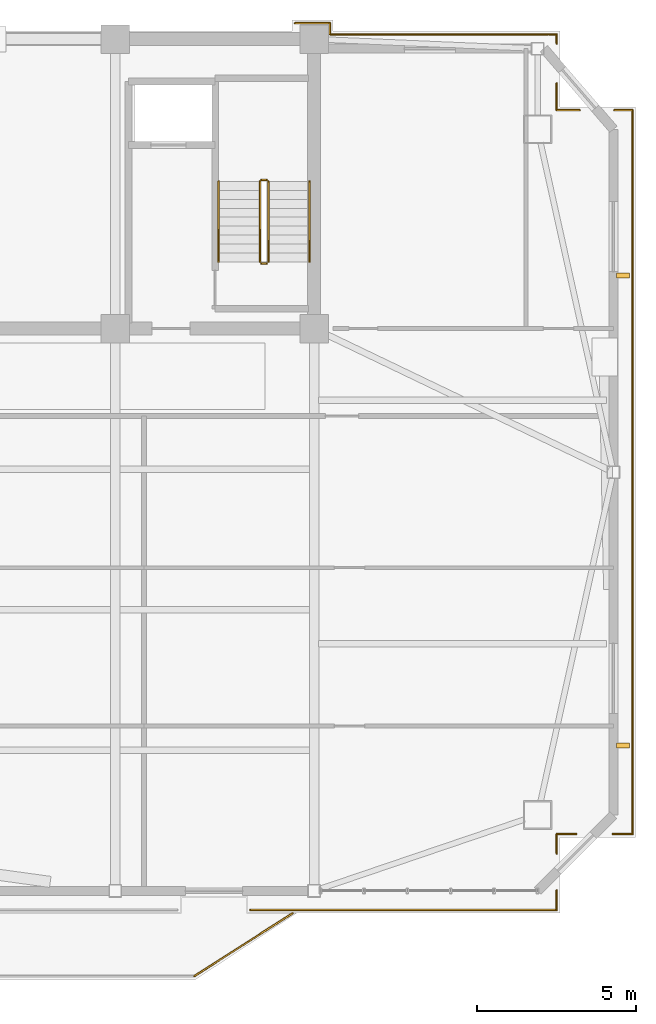
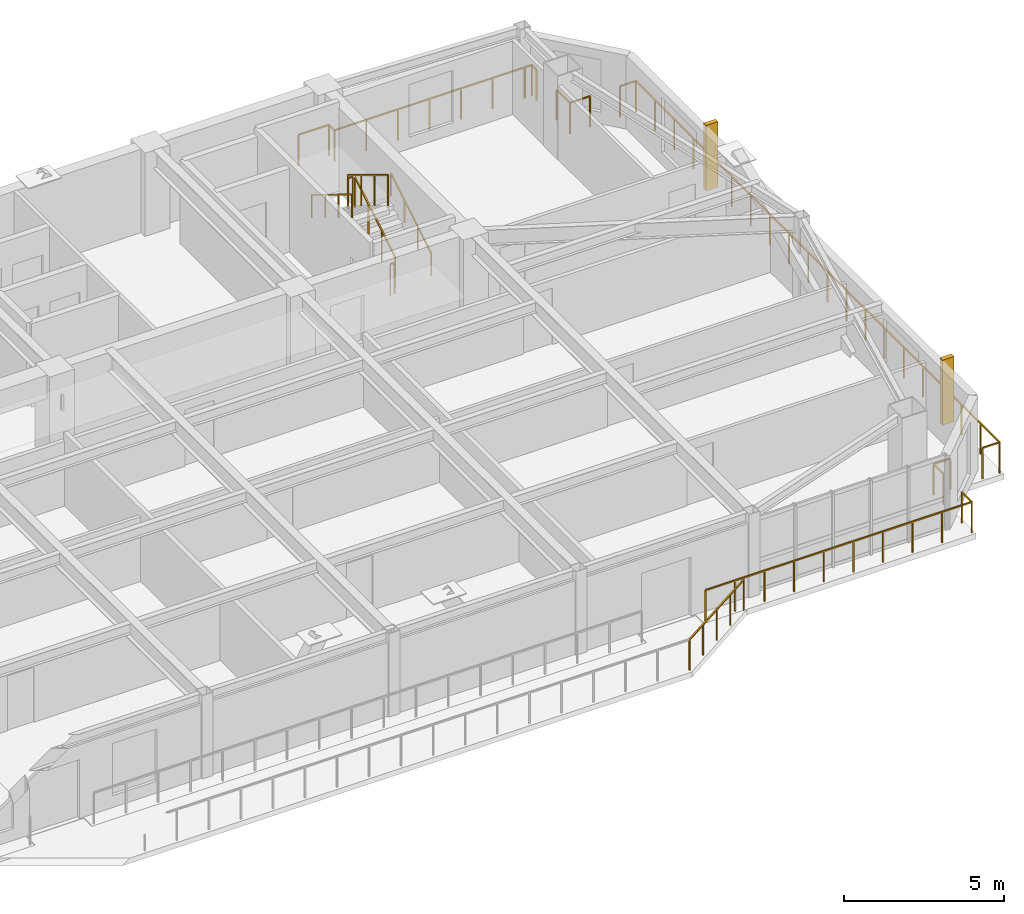
# One storey, part 13 of 13: 21 railings, 2 shading devices.
"""IFC4 building model written with IfcOpenShell, lengths in metres."""

from ifc_helpers import new_model, si_unit, direction, frame, origin, origin_2d, place, context, subcontext, project, spatial, rectangle, extrude, source, transform, mapped, material, type_object, element, save


model = new_model("IFC4")

# Units and contexts
model_context = context("Model", 3, precision=1e-05, world=origin(), true_north=direction((0.0, 1.0)))
body_context = subcontext(model_context, "Body", "Model", "MODEL_VIEW")
ifc_project = project(units=[si_unit("LENGTHUNIT", "METRE"), si_unit("AREAUNIT", "SQUARE_METRE"), si_unit("VOLUMEUNIT", "CUBIC_METRE"), si_unit("PLANEANGLEUNIT", "RADIAN"), si_unit("MASSUNIT", "GRAM", prefix="KILO")], contexts=[model_context])

# Site, building, storey
site_placement = place(None, origin())
site = spatial("IfcSite", under=ifc_project, at=site_placement, CompositionType="ELEMENT")
building_placement = place(site_placement, origin())
building = spatial("IfcBuilding", under=site, at=building_placement, Name="Giltprow Tower", CompositionType="ELEMENT")
storey_placement = place(building_placement, frame((0.0, 0.0, 307.39990234375)))
storey = spatial("IfcBuildingStorey", under=building, at=storey_placement, Name="L79", CompositionType="ELEMENT", Elevation=307.39990234375)

# Railings
ifc_material = material(Name="Anodized bronze", Category="metal")
railing_type_1 = type_object("IfcRailingType", Name="RAIL-BALC-GUARD-1200", PredefinedType="BALUSTRADE", material=ifc_material)
railing_1_placement = place(storey_placement, frame((46.780029296875, 17.092041015625, 0.0)))
element("IfcRailing", 1, at=railing_1_placement, inside=storey, type_object=railing_type_1, Name="L79 Waterfront Balcony Balustrade Seg 3", PredefinedType="BALUSTRADE", context=body_context, shape_type="SweptSolid", body=[
    extrude(rectangle(XDim=0.048095703125, YDim=0.048095703125, at=origin_2d()), frame((0.0, 0.0, 1.17578125), z_axis=(0.842755646126, 0.538296313309, 0.0), x_axis=(-0.538296313309, 0.842755646126, 0.0)), (0.0, 0.0, 1.0), 3.67822265625),
    extrude(rectangle(XDim=0.0419921875, YDim=0.0419921875, at=origin_2d()), origin(), (0.0, 0.0, 1.0), 1.15185546875),
    extrude(rectangle(XDim=0.0419921875, YDim=0.0419921875, at=origin_2d()), frame((0.77490234375, 0.4951171875, 0.0)), (0.0, 0.0, 1.0), 1.15185546875),
    extrude(rectangle(XDim=0.0419921875, YDim=0.0419921875, at=origin_2d()), frame((1.5498046875, 0.989990234375, 0.0)), (0.0, 0.0, 1.0), 1.15185546875),
    extrude(rectangle(XDim=0.0419921875, YDim=0.0419921875, at=origin_2d()), frame((2.324951171875, 1.48486328125, 0.0)), (0.0, 0.0, 1.0), 1.15185546875),
    extrude(rectangle(XDim=0.0419921875, YDim=0.0419921875, at=origin_2d()), frame((3.099853515625, 1.97998046875, 0.0)), (0.0, 0.0, 1.0), 1.15185546875),
])
railing_2_placement = place(storey_placement, frame((60.56005859375, 44.31494140625, 0.0)))
element("IfcRailing", 2, at=railing_2_placement, inside=storey, type_object=railing_type_1, Name="L79 Corner Apron Edge Balustrade 1", PredefinedType="BALUSTRADE", context=body_context, shape_type="SweptSolid", body=[
    extrude(rectangle(XDim=0.048095703125, YDim=0.048095703125, at=origin_2d()), frame((0.0, 0.0, 1.17578125), z_axis=(0.0, -1.0, 0.0), x_axis=(1.0, 0.0, 0.0)), (0.0, 0.0, 1.0), 22.758056640625),
    extrude(rectangle(XDim=0.0419921875, YDim=0.0419921875, at=origin_2d()), origin(), (0.0, 0.0, 1.0), 1.15185546875),
    extrude(rectangle(XDim=0.0419921875, YDim=0.0419921875, at=origin_2d()), frame((0.0, -1.19775390625, 0.0)), (0.0, 0.0, 1.0), 1.15185546875),
    extrude(rectangle(XDim=0.0419921875, YDim=0.0419921875, at=origin_2d()), frame((0.0, -2.3955078125, 0.0)), (0.0, 0.0, 1.0), 1.15185546875),
    extrude(rectangle(XDim=0.0419921875, YDim=0.0419921875, at=origin_2d()), frame((0.0, -3.59326171875, 0.0)), (0.0, 0.0, 1.0), 1.15185546875),
    extrude(rectangle(XDim=0.0419921875, YDim=0.0419921875, at=origin_2d()), frame((0.0, -4.791259765625, 0.0)), (0.0, 0.0, 1.0), 1.15185546875),
    extrude(rectangle(XDim=0.0419921875, YDim=0.0419921875, at=origin_2d()), frame((0.0, -5.989013671875, 0.0)), (0.0, 0.0, 1.0), 1.15185546875),
    extrude(rectangle(XDim=0.0419921875, YDim=0.0419921875, at=origin_2d()), frame((0.0, -7.186767578125, 0.0)), (0.0, 0.0, 1.0), 1.15185546875),
    extrude(rectangle(XDim=0.0419921875, YDim=0.0419921875, at=origin_2d()), frame((0.0, -8.384521484375, 0.0)), (0.0, 0.0, 1.0), 1.15185546875),
    extrude(rectangle(XDim=0.0419921875, YDim=0.0419921875, at=origin_2d()), frame((0.0, -9.582275390625, 0.0)), (0.0, 0.0, 1.0), 1.15185546875),
    extrude(rectangle(XDim=0.0419921875, YDim=0.0419921875, at=origin_2d()), frame((0.0, -10.780029296875, 0.0)), (0.0, 0.0, 1.0), 1.15185546875),
    extrude(rectangle(XDim=0.0419921875, YDim=0.0419921875, at=origin_2d()), frame((0.0, -11.97802734375, 0.0)), (0.0, 0.0, 1.0), 1.15185546875),
    extrude(rectangle(XDim=0.0419921875, YDim=0.0419921875, at=origin_2d()), frame((0.0, -13.17578125, 0.0)), (0.0, 0.0, 1.0), 1.15185546875),
    extrude(rectangle(XDim=0.0419921875, YDim=0.0419921875, at=origin_2d()), frame((0.0, -14.37353515625, 0.0)), (0.0, 0.0, 1.0), 1.15185546875),
    extrude(rectangle(XDim=0.0419921875, YDim=0.0419921875, at=origin_2d()), frame((0.0, -15.5712890625, 0.0)), (0.0, 0.0, 1.0), 1.15185546875),
    extrude(rectangle(XDim=0.0419921875, YDim=0.0419921875, at=origin_2d()), frame((0.0, -16.76904296875, 0.0)), (0.0, 0.0, 1.0), 1.15185546875),
    extrude(rectangle(XDim=0.0419921875, YDim=0.0419921875, at=origin_2d()), frame((0.0, -17.966796875, 0.0)), (0.0, 0.0, 1.0), 1.15185546875),
    extrude(rectangle(XDim=0.0419921875, YDim=0.0419921875, at=origin_2d()), frame((0.0, -19.164794921875, 0.0)), (0.0, 0.0, 1.0), 1.15185546875),
    extrude(rectangle(XDim=0.0419921875, YDim=0.0419921875, at=origin_2d()), frame((0.0, -20.362548828125, 0.0)), (0.0, 0.0, 1.0), 1.15185546875),
    extrude(rectangle(XDim=0.0419921875, YDim=0.0419921875, at=origin_2d()), frame((0.0, -21.560302734375, 0.0)), (0.0, 0.0, 1.0), 1.15185546875),
    extrude(rectangle(XDim=0.0419921875, YDim=0.0419921875, at=origin_2d()), frame((0.0, -22.758056640625, 0.0)), (0.0, 0.0, 1.0), 1.15185546875),
])
railing_3_placement = place(storey_placement, frame((60.56005859375, 21.556884765625, 0.0)))
element("IfcRailing", 3, at=railing_3_placement, inside=storey, type_object=railing_type_1, Name="L79 Corner Apron Edge Balustrade 2", PredefinedType="BALUSTRADE", context=body_context, shape_type="SweptSolid", body=[
    extrude(rectangle(XDim=0.048095703125, YDim=0.048095703125, at=origin_2d()), frame((0.0, 0.0, 1.17578125), z_axis=(-1.0, 0.0, 0.0), x_axis=(0.0, -1.0, 0.0)), (0.0, 0.0, 1.0), 0.6201171875),
    extrude(rectangle(XDim=0.0419921875, YDim=0.0419921875, at=origin_2d()), origin(), (0.0, 0.0, 1.0), 1.15185546875),
    extrude(rectangle(XDim=0.0419921875, YDim=0.0419921875, at=origin_2d()), frame((-0.6201171875, 0.0, 0.0)), (0.0, 0.0, 1.0), 1.15185546875),
])
railing_4_placement = place(storey_placement, frame((58.780029296875, 21.556884765625, 0.0)))
element("IfcRailing", 4, at=railing_4_placement, inside=storey, type_object=railing_type_1, Name="L79 Corner Apron Edge Balustrade 3", PredefinedType="BALUSTRADE", context=body_context, shape_type="SweptSolid", body=[
    extrude(rectangle(XDim=0.048095703125, YDim=0.048095703125, at=origin_2d()), frame((0.0, 0.0, 1.17578125), z_axis=(-1.0, 0.0, 0.0), x_axis=(0.0, -1.0, 0.0)), (0.0, 0.0, 1.0), 0.60400390625),
    extrude(rectangle(XDim=0.0419921875, YDim=0.0419921875, at=origin_2d()), origin(), (0.0, 0.0, 1.0), 1.15185546875),
    extrude(rectangle(XDim=0.0419921875, YDim=0.0419921875, at=origin_2d()), frame((-0.60400390625, 0.0, 0.0)), (0.0, 0.0, 1.0), 1.15185546875),
])
railing_5_placement = place(storey_placement, frame((58.176025390625, 21.556884765625, 0.0)))
element("IfcRailing", 5, at=railing_5_placement, inside=storey, type_object=railing_type_1, Name="L79 Corner Apron Edge Balustrade 4", PredefinedType="BALUSTRADE", context=body_context, shape_type="SweptSolid", body=[
    extrude(rectangle(XDim=0.048095703125, YDim=0.048095703125, at=origin_2d()), frame((0.0, 0.0, 1.17578125), z_axis=(0.0, -1.0, 0.0), x_axis=(1.0, 0.0, 0.0)), (0.0, 0.0, 1.0), 0.60400390625),
    extrude(rectangle(XDim=0.0419921875, YDim=0.0419921875, at=origin_2d()), origin(), (0.0, 0.0, 1.0), 1.15185546875),
    extrude(rectangle(XDim=0.0419921875, YDim=0.0419921875, at=origin_2d()), frame((0.0, -0.60400390625, 0.0)), (0.0, 0.0, 1.0), 1.15185546875),
])
railing_6_placement = place(storey_placement, frame((58.176025390625, 19.79296875, 0.0)))
element("IfcRailing", 6, at=railing_6_placement, inside=storey, type_object=railing_type_1, Name="L79 Corner Apron Edge Balustrade 5", PredefinedType="BALUSTRADE", context=body_context, shape_type="SweptSolid", body=[
    extrude(rectangle(XDim=0.048095703125, YDim=0.048095703125, at=origin_2d()), frame((0.0, 0.0, 1.17578125), z_axis=(0.0, -1.0, 0.0), x_axis=(1.0, 0.0, 0.0)), (0.0, 0.0, 1.0), 0.620849609375),
    extrude(rectangle(XDim=0.0419921875, YDim=0.0419921875, at=origin_2d()), origin(), (0.0, 0.0, 1.0), 1.15185546875),
    extrude(rectangle(XDim=0.0419921875, YDim=0.0419921875, at=origin_2d()), frame((0.0, -0.620849609375, 0.0)), (0.0, 0.0, 1.0), 1.15185546875),
])
railing_7_placement = place(storey_placement, frame((58.176025390625, 19.172119140625, 0.0)))
element("IfcRailing", 7, at=railing_7_placement, inside=storey, type_object=railing_type_1, Name="L79 Corner Apron Edge Balustrade 6", PredefinedType="BALUSTRADE", context=body_context, shape_type="SweptSolid", body=[
    extrude(rectangle(XDim=0.048095703125, YDim=0.048095703125, at=origin_2d()), frame((0.0, 0.0, 1.17578125), z_axis=(-1.0, 0.0, 0.0), x_axis=(0.0, -1.0, 0.0)), (0.0, 0.0, 1.0), 9.6259765625),
    extrude(rectangle(XDim=0.0419921875, YDim=0.0419921875, at=origin_2d()), origin(), (0.0, 0.0, 1.0), 1.15185546875),
    extrude(rectangle(XDim=0.0419921875, YDim=0.0419921875, at=origin_2d()), frame((-1.069580078125, 0.0, 0.0)), (0.0, 0.0, 1.0), 1.15185546875),
    extrude(rectangle(XDim=0.0419921875, YDim=0.0419921875, at=origin_2d()), frame((-2.13916015625, 0.0, 0.0)), (0.0, 0.0, 1.0), 1.15185546875),
    extrude(rectangle(XDim=0.0419921875, YDim=0.0419921875, at=origin_2d()), frame((-3.208740234375, 0.0, 0.0)), (0.0, 0.0, 1.0), 1.15185546875),
    extrude(rectangle(XDim=0.0419921875, YDim=0.0419921875, at=origin_2d()), frame((-4.2783203125, 0.0, 0.0)), (0.0, 0.0, 1.0), 1.15185546875),
    extrude(rectangle(XDim=0.0419921875, YDim=0.0419921875, at=origin_2d()), frame((-5.34765625, 0.0, 0.0)), (0.0, 0.0, 1.0), 1.15185546875),
    extrude(rectangle(XDim=0.0419921875, YDim=0.0419921875, at=origin_2d()), frame((-6.417236328125, 0.0, 0.0)), (0.0, 0.0, 1.0), 1.15185546875),
    extrude(rectangle(XDim=0.0419921875, YDim=0.0419921875, at=origin_2d()), frame((-7.48681640625, 0.0, 0.0)), (0.0, 0.0, 1.0), 1.15185546875),
    extrude(rectangle(XDim=0.0419921875, YDim=0.0419921875, at=origin_2d()), frame((-8.556396484375, 0.0, 0.0)), (0.0, 0.0, 1.0), 1.15185546875),
    extrude(rectangle(XDim=0.0419921875, YDim=0.0419921875, at=origin_2d()), frame((-9.6259765625, 0.0, 0.0)), (0.0, 0.0, 1.0), 1.15185546875),
])
railing_8_placement = place(storey_placement, frame((49.949951171875, 47.050048828125, 0.0)))
element("IfcRailing", 8, at=railing_8_placement, inside=storey, type_object=railing_type_1, Name="L79 Corner Apron Edge Balustrade 22", PredefinedType="BALUSTRADE", context=body_context, shape_type="SweptSolid", body=[
    extrude(rectangle(XDim=0.048095703125, YDim=0.048095703125, at=origin_2d()), frame((0.0, 0.0, 1.17578125), z_axis=(1.0, 0.0, 0.0), x_axis=(0.0, 1.0, 0.0)), (0.0, 0.0, 1.0), 1.10009765625),
    extrude(rectangle(XDim=0.0419921875, YDim=0.0419921875, at=origin_2d()), origin(), (0.0, 0.0, 1.0), 1.15185546875),
    extrude(rectangle(XDim=0.0419921875, YDim=0.0419921875, at=origin_2d()), frame((1.10009765625, 0.0, 0.0)), (0.0, 0.0, 1.0), 1.15185546875),
])
railing_9_placement = place(storey_placement, frame((51.050048828125, 47.050048828125, 0.0)))
element("IfcRailing", 9, at=railing_9_placement, inside=storey, type_object=railing_type_1, Name="L79 Corner Apron Edge Balustrade 23", PredefinedType="BALUSTRADE", context=body_context, shape_type="SweptSolid", body=[
    extrude(rectangle(XDim=0.048095703125, YDim=0.048095703125, at=origin_2d()), frame((0.0, 0.0, 1.17578125), z_axis=(0.0, -1.0, 0.0), x_axis=(1.0, 0.0, 0.0)), (0.0, 0.0, 1.0), 0.35009765625),
    extrude(rectangle(XDim=0.0419921875, YDim=0.0419921875, at=origin_2d()), origin(), (0.0, 0.0, 1.0), 1.15185546875),
    extrude(rectangle(XDim=0.0419921875, YDim=0.0419921875, at=origin_2d()), frame((0.0, -0.35009765625, 0.0)), (0.0, 0.0, 1.0), 1.15185546875),
])
railing_10_placement = place(storey_placement, frame((51.050048828125, 46.699951171875, 0.0)))
element("IfcRailing", 10, at=railing_10_placement, inside=storey, type_object=railing_type_1, Name="L79 Corner Apron Edge Balustrade 24", PredefinedType="BALUSTRADE", context=body_context, shape_type="SweptSolid", body=[
    extrude(rectangle(XDim=0.048095703125, YDim=0.048095703125, at=origin_2d()), frame((0.0, 0.0, 1.17578125), z_axis=(1.0, 0.0, 0.0), x_axis=(0.0, 1.0, 0.0)), (0.0, 0.0, 1.0), 6.848876953125),
    extrude(rectangle(XDim=0.0419921875, YDim=0.0419921875, at=origin_2d()), origin(), (0.0, 0.0, 1.0), 1.15185546875),
    extrude(rectangle(XDim=0.0419921875, YDim=0.0419921875, at=origin_2d()), frame((1.1416015625, 0.0, 0.0)), (0.0, 0.0, 1.0), 1.15185546875),
    extrude(rectangle(XDim=0.0419921875, YDim=0.0419921875, at=origin_2d()), frame((2.282958984375, 0.0, 0.0)), (0.0, 0.0, 1.0), 1.15185546875),
    extrude(rectangle(XDim=0.0419921875, YDim=0.0419921875, at=origin_2d()), frame((3.42431640625, 0.0, 0.0)), (0.0, 0.0, 1.0), 1.15185546875),
    extrude(rectangle(XDim=0.0419921875, YDim=0.0419921875, at=origin_2d()), frame((4.56591796875, 0.0, 0.0)), (0.0, 0.0, 1.0), 1.15185546875),
    extrude(rectangle(XDim=0.0419921875, YDim=0.0419921875, at=origin_2d()), frame((5.70751953125, 0.0, 0.0)), (0.0, 0.0, 1.0), 1.15185546875),
    extrude(rectangle(XDim=0.0419921875, YDim=0.0419921875, at=origin_2d()), frame((6.848876953125, 0.0, 0.0)), (0.0, 0.0, 1.0), 1.15185546875),
])
railing_11_placement = place(storey_placement, frame((57.927978515625, 46.699951171875, 0.0)))
element("IfcRailing", 11, at=railing_11_placement, inside=storey, type_object=railing_type_1, Name="L79 Corner Apron Edge Balustrade 25", PredefinedType="BALUSTRADE", context=body_context, shape_type="SweptSolid", body=[
    extrude(rectangle(XDim=0.048095703125, YDim=0.048095703125, at=origin_2d()), frame((0.0, 0.0, 1.17578125), z_axis=(1.0, 0.0, 0.0), x_axis=(0.0, 1.0, 0.0)), (0.0, 0.0, 1.0), 0.248046875),
    extrude(rectangle(XDim=0.0419921875, YDim=0.0419921875, at=origin_2d()), origin(), (0.0, 0.0, 1.0), 1.15185546875),
    extrude(rectangle(XDim=0.0419921875, YDim=0.0419921875, at=origin_2d()), frame((0.248046875, 0.0, 0.0)), (0.0, 0.0, 1.0), 1.15185546875),
])
railing_12_placement = place(storey_placement, frame((58.176025390625, 46.699951171875, 0.0)))
element("IfcRailing", 12, at=railing_12_placement, inside=storey, type_object=railing_type_1, Name="L79 Corner Apron Edge Balustrade 26", PredefinedType="BALUSTRADE", context=body_context, shape_type="SweptSolid", body=[
    extrude(rectangle(XDim=0.048095703125, YDim=0.048095703125, at=origin_2d()), frame((0.0, 0.0, 1.17578125), z_axis=(0.0, -1.0, 0.0), x_axis=(1.0, 0.0, 0.0)), (0.0, 0.0, 1.0), 0.286865234375),
    extrude(rectangle(XDim=0.0419921875, YDim=0.0419921875, at=origin_2d()), origin(), (0.0, 0.0, 1.0), 1.15185546875),
    extrude(rectangle(XDim=0.0419921875, YDim=0.0419921875, at=origin_2d()), frame((0.0, -0.286865234375, 0.0)), (0.0, 0.0, 1.0), 1.15185546875),
])
railing_13_placement = place(storey_placement, frame((58.176025390625, 45.156982421875, 0.0)))
element("IfcRailing", 13, at=railing_13_placement, inside=storey, type_object=railing_type_1, Name="L79 Corner Apron Edge Balustrade 27", PredefinedType="BALUSTRADE", context=body_context, shape_type="SweptSolid", body=[
    extrude(rectangle(XDim=0.048095703125, YDim=0.048095703125, at=origin_2d()), frame((0.0, 0.0, 1.17578125), z_axis=(0.0, -1.0, 0.0), x_axis=(1.0, 0.0, 0.0)), (0.0, 0.0, 1.0), 0.842041015625),
    extrude(rectangle(XDim=0.0419921875, YDim=0.0419921875, at=origin_2d()), origin(), (0.0, 0.0, 1.0), 1.15185546875),
    extrude(rectangle(XDim=0.0419921875, YDim=0.0419921875, at=origin_2d()), frame((0.0, -0.842041015625, 0.0)), (0.0, 0.0, 1.0), 1.15185546875),
])
railing_14_placement = place(storey_placement, frame((58.176025390625, 44.31494140625, 0.0)))
element("IfcRailing", 14, at=railing_14_placement, inside=storey, type_object=railing_type_1, Name="L79 Corner Apron Edge Balustrade 28", PredefinedType="BALUSTRADE", context=body_context, shape_type="SweptSolid", body=[
    extrude(rectangle(XDim=0.048095703125, YDim=0.048095703125, at=origin_2d()), frame((0.0, 0.0, 1.17578125), z_axis=(1.0, 0.0, 0.0), x_axis=(0.0, 1.0, 0.0)), (0.0, 0.0, 1.0), 0.72607421875),
    extrude(rectangle(XDim=0.0419921875, YDim=0.0419921875, at=origin_2d()), origin(), (0.0, 0.0, 1.0), 1.15185546875),
    extrude(rectangle(XDim=0.0419921875, YDim=0.0419921875, at=origin_2d()), frame((0.72607421875, 0.0, 0.0)), (0.0, 0.0, 1.0), 1.15185546875),
])
railing_15_placement = place(storey_placement, frame((59.98388671875, 44.31494140625, 0.0)))
element("IfcRailing", 15, at=railing_15_placement, inside=storey, type_object=railing_type_1, Name="L79 Corner Apron Edge Balustrade 29", PredefinedType="BALUSTRADE", context=body_context, shape_type="SweptSolid", body=[
    extrude(rectangle(XDim=0.048095703125, YDim=0.048095703125, at=origin_2d()), frame((0.0, 0.0, 1.17578125), z_axis=(1.0, 0.0, 0.0), x_axis=(0.0, 1.0, 0.0)), (0.0, 0.0, 1.0), 0.576171875),
    extrude(rectangle(XDim=0.0419921875, YDim=0.0419921875, at=origin_2d()), origin(), (0.0, 0.0, 1.0), 1.15185546875),
    extrude(rectangle(XDim=0.0419921875, YDim=0.0419921875, at=origin_2d()), frame((0.576171875, 0.0, 0.0)), (0.0, 0.0, 1.0), 1.15185546875),
])
railing_type_2 = type_object("IfcRailingType", Name="RAIL-STAIR-GUARD-1200", PredefinedType="GUARDRAIL", material=ifc_material)
railing_16_placement = place(storey_placement, frame((49.110107421875, 39.550048828125, 0.170166015625)))
element("IfcRailing", 16, at=railing_16_placement, inside=storey, type_object=railing_type_2, Name="L79 ST-3 stair guard 1", PredefinedType="GUARDRAIL", context=body_context, shape_type="SweptSolid", body=[
    extrude(rectangle(XDim=0.048095703125, YDim=0.048095703125, at=origin_2d()), frame((0.0, 0.0, 1.17578125), z_axis=(0.0, 0.85478489116, 0.518982456201), x_axis=(-1.0, 0.0, 0.0)), (0.0, 0.0, 1.0), 2.9482421875),
    extrude(rectangle(XDim=0.0419921875, YDim=0.0419921875, at=origin_2d()), origin(), (0.0, 0.0, 1.0), 1.15185546875),
    extrude(rectangle(XDim=0.0419921875, YDim=0.0419921875, at=origin_2d()), frame((0.0, 0.840087890625, 0.510009765625)), (0.0, 0.0, 1.0), 1.15185546875),
    extrude(rectangle(XDim=0.0419921875, YDim=0.0419921875, at=origin_2d()), frame((0.0, 1.679931640625, 1.02001953125)), (0.0, 0.0, 1.0), 1.15185546875),
    extrude(rectangle(XDim=0.0419921875, YDim=0.0419921875, at=origin_2d()), frame((0.0, 2.52001953125, 1.530029296875)), (0.0, 0.0, 1.0), 1.15185546875),
])
railing_17_placement = place(storey_placement, frame((49.06005859375, 42.1201171875, 1.7001953125)))
element("IfcRailing", 17, at=railing_17_placement, inside=storey, type_object=railing_type_2, Name="L79 ST-3 stair guard 2", PredefinedType="GUARDRAIL", context=body_context, shape_type="SweptSolid", body=[
    extrude(rectangle(XDim=0.048095703125, YDim=0.048095703125, at=origin_2d()), frame((0.0, 0.0, 1.17578125), z_axis=(-1.0, 0.0, 0.0), x_axis=(0.0, -1.0, 0.0)), (0.0, 0.0, 1.0), 0.16015625),
    extrude(rectangle(XDim=0.0419921875, YDim=0.0419921875, at=origin_2d()), origin(), (0.0, 0.0, 1.0), 1.15185546875),
    extrude(rectangle(XDim=0.0419921875, YDim=0.0419921875, at=origin_2d()), frame((-0.16015625, 0.0, 0.0)), (0.0, 0.0, 1.0), 1.15185546875),
])
railing_18_placement = place(storey_placement, frame((48.85009765625, 42.070068359375, 1.8701171875)))
element("IfcRailing", 18, at=railing_18_placement, inside=storey, type_object=railing_type_2, Name="L79 ST-3 stair guard 3", PredefinedType="GUARDRAIL", context=body_context, shape_type="SweptSolid", body=[
    extrude(rectangle(XDim=0.048095703125, YDim=0.048095703125, at=origin_2d()), frame((0.0, 0.0, 1.17578125), z_axis=(0.0, -0.85478489116, 0.518982456201), x_axis=(1.0, 0.0, 0.0)), (0.0, 0.0, 1.0), 2.9482421875),
    extrude(rectangle(XDim=0.0419921875, YDim=0.0419921875, at=origin_2d()), origin(), (0.0, 0.0, 1.0), 1.15185546875),
    extrude(rectangle(XDim=0.0419921875, YDim=0.0419921875, at=origin_2d()), frame((0.0, -0.840087890625, 0.510009765625)), (0.0, 0.0, 1.0), 1.15185546875),
    extrude(rectangle(XDim=0.0419921875, YDim=0.0419921875, at=origin_2d()), frame((0.0, -1.679931640625, 1.02001953125)), (0.0, 0.0, 1.0), 1.15185546875),
    extrude(rectangle(XDim=0.0419921875, YDim=0.0419921875, at=origin_2d()), frame((0.0, -2.52001953125, 1.530029296875)), (0.0, 0.0, 1.0), 1.15185546875),
])
railing_19_placement = place(storey_placement, frame((49.06005859375, 39.5, 0.0)))
element("IfcRailing", 19, at=railing_19_placement, inside=storey, type_object=railing_type_2, Name="L79 ST-3 stair guard 4", PredefinedType="GUARDRAIL", context=body_context, shape_type="SweptSolid", body=[
    extrude(rectangle(XDim=0.048095703125, YDim=0.048095703125, at=origin_2d()), frame((0.0, 0.0, 1.17578125), z_axis=(-1.0, 0.0, 0.0), x_axis=(0.0, -1.0, 0.0)), (0.0, 0.0, 1.0), 0.16015625),
    extrude(rectangle(XDim=0.0419921875, YDim=0.0419921875, at=origin_2d()), origin(), (0.0, 0.0, 1.0), 1.15185546875),
    extrude(rectangle(XDim=0.0419921875, YDim=0.0419921875, at=origin_2d()), frame((-0.16015625, 0.0, 0.0)), (0.0, 0.0, 1.0), 1.15185546875),
])
railing_type_3 = type_object("IfcRailingType", Name="RAIL-STAIR-HAND-900", PredefinedType="HANDRAIL", material=ifc_material)
railing_20_placement = place(storey_placement, frame((50.409912109375, 39.550048828125, 0.170166015625)))
element("IfcRailing", 20, at=railing_20_placement, inside=storey, type_object=railing_type_3, Name="L79 ST-3 stair handrail 1", PredefinedType="HANDRAIL", context=body_context, shape_type="SweptSolid", body=[
    extrude(rectangle(XDim=0.048095703125, YDim=0.048095703125, at=origin_2d()), frame((0.0, 0.0, 0.8759765625), z_axis=(0.0, 0.85478489116, 0.518982456201), x_axis=(-1.0, 0.0, 0.0)), (0.0, 0.0, 1.0), 2.9482421875),
    extrude(rectangle(XDim=0.0419921875, YDim=0.0419921875, at=origin_2d()), origin(), (0.0, 0.0, 1.0), 0.851806640625),
    extrude(rectangle(XDim=0.0419921875, YDim=0.0419921875, at=origin_2d()), frame((0.0, 0.840087890625, 0.510009765625)), (0.0, 0.0, 1.0), 0.851806640625),
    extrude(rectangle(XDim=0.0419921875, YDim=0.0419921875, at=origin_2d()), frame((0.0, 1.679931640625, 1.02001953125)), (0.0, 0.0, 1.0), 0.851806640625),
    extrude(rectangle(XDim=0.0419921875, YDim=0.0419921875, at=origin_2d()), frame((0.0, 2.52001953125, 1.530029296875)), (0.0, 0.0, 1.0), 0.851806640625),
])
railing_21_placement = place(storey_placement, frame((47.550048828125, 42.070068359375, 1.8701171875)))
element("IfcRailing", 21, at=railing_21_placement, inside=storey, type_object=railing_type_3, Name="L79 ST-3 stair handrail 2", PredefinedType="HANDRAIL", context=body_context, shape_type="SweptSolid", body=[
    extrude(rectangle(XDim=0.048095703125, YDim=0.048095703125, at=origin_2d()), frame((0.0, 0.0, 0.8759765625), z_axis=(0.0, -0.85478489116, 0.518982456201), x_axis=(1.0, 0.0, 0.0)), (0.0, 0.0, 1.0), 2.9482421875),
    extrude(rectangle(XDim=0.0419921875, YDim=0.0419921875, at=origin_2d()), origin(), (0.0, 0.0, 1.0), 0.851806640625),
    extrude(rectangle(XDim=0.0419921875, YDim=0.0419921875, at=origin_2d()), frame((0.0, -0.840087890625, 0.510009765625)), (0.0, 0.0, 1.0), 0.851806640625),
    extrude(rectangle(XDim=0.0419921875, YDim=0.0419921875, at=origin_2d()), frame((0.0, -1.679931640625, 1.02001953125)), (0.0, 0.0, 1.0), 0.851806640625),
    extrude(rectangle(XDim=0.0419921875, YDim=0.0419921875, at=origin_2d()), frame((0.0, -2.52001953125, 1.530029296875)), (0.0, 0.0, 1.0), 0.851806640625),
])

# Shading devices
shading_device_type = type_object("IfcShadingDeviceType", Name="SHD-FIN-420", PredefinedType="USERDEFINED", material=ifc_material)
shared_shape = source(origin(), body_context, "Body", "SweptSolid", [
    extrude(rectangle(XDim=0.419921875, YDim=0.159912109375, at=origin_2d()), origin(), (0.0, 0.0, 1.0), 2.5),
])
for number, where, z_axis, x_axis, name in (
    (22, (60.260009765625, 24.337890625, 0.35009765625), (0.0, 0.0, 1.0), (1.0, 0.0, 0.0), "L79 E Bronze Vertical Fin 1-1"),
    (23, (60.260009765625, 39.117919921875, 0.35009765625), (0.0, 0.0, 1.0), (1.0, 0.0, 0.0), "L79 E Bronze Vertical Fin 2-1"),
):
    element("IfcShadingDevice", number, at=place(storey_placement, frame(where, z_axis=z_axis, x_axis=x_axis)), inside=storey, type_object=shading_device_type, Name=name, ObjectType="FIN", PredefinedType="USERDEFINED", context=body_context, shape_type="MappedRepresentation", body=[
        mapped(shared_shape, transform((0.0, 0.0, 0.0), x_axis=(1.0, 0.0, 0.0), y_axis=(0.0, 1.0, 0.0), z_axis=(0.0, 0.0, 1.0), scale=1.0)),
    ])

save(model, "model.ifc")
